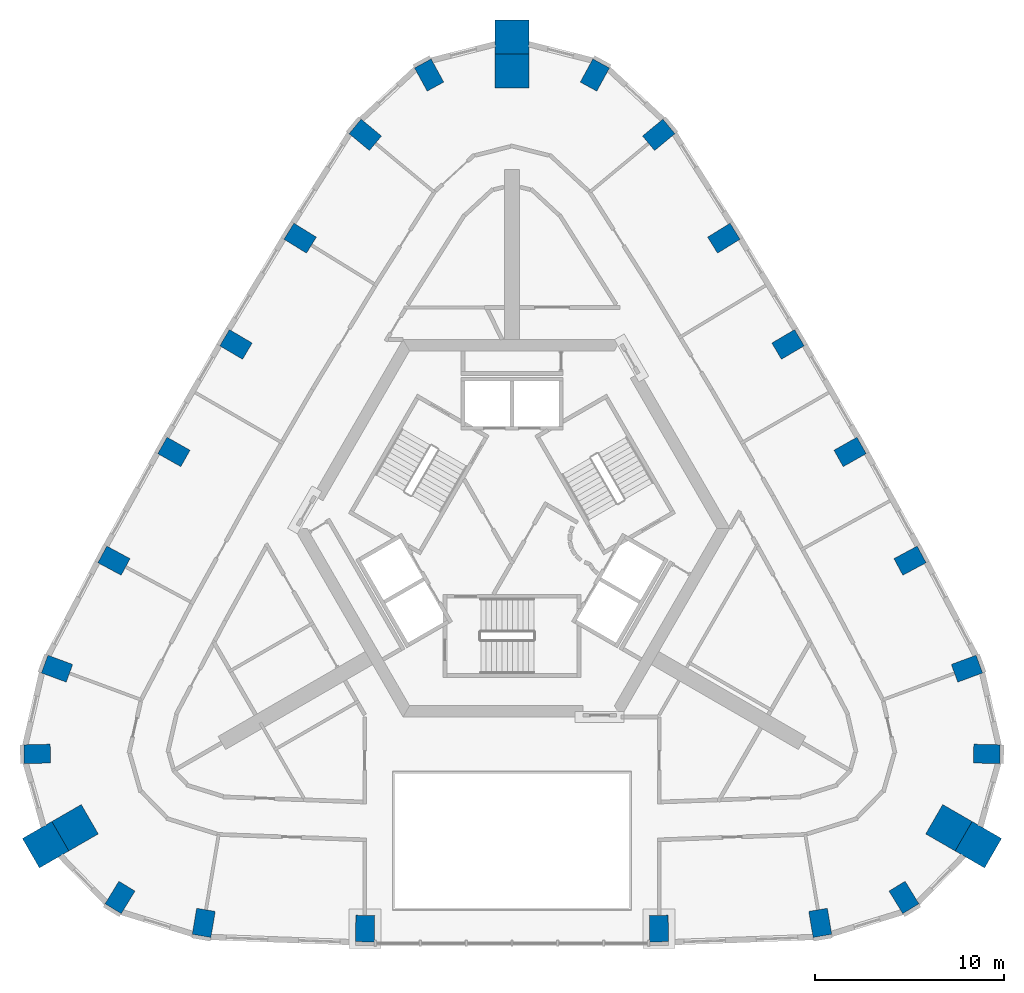
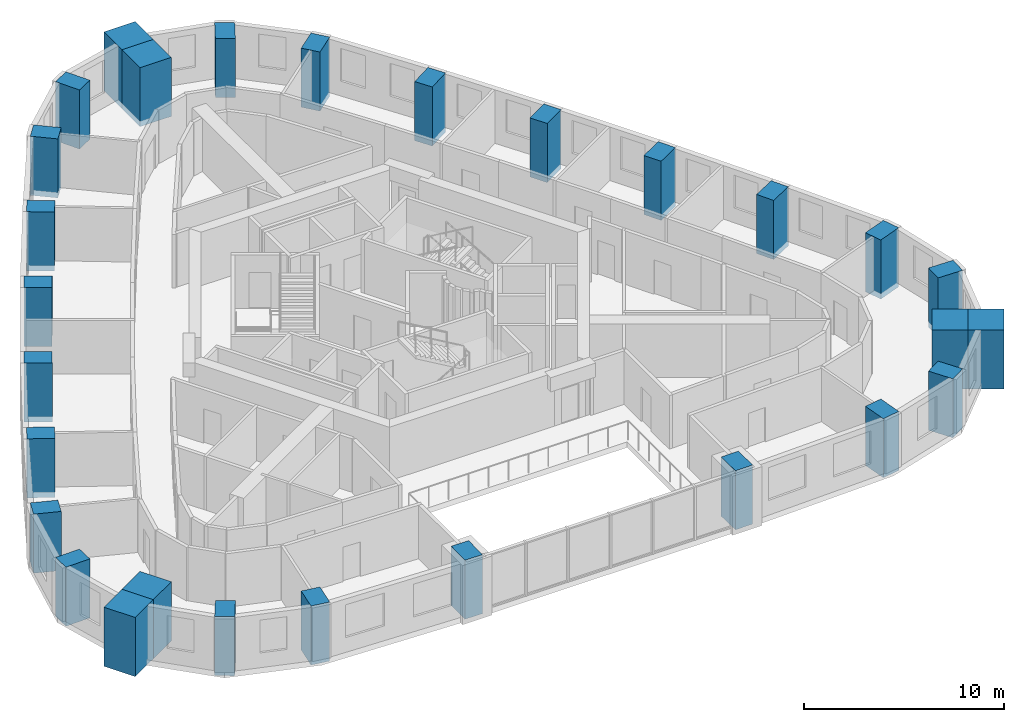
# One storey, part 1 of 10: 28 columns.
"""IFC4 building model written with IfcOpenShell, lengths in metres."""

import ifcopenshell
import ifcopenshell.guid

model = None  # the IFC model being written
_history = None  # IfcOwnerHistory: only IFC2X3 demands one
_inside = {}  # id of a spatial element -> (the spatial element, [elements in it])
_under = {}  # id of a project, library or spatial element -> (it, [spatial elements below it])
_declared = {}  # id of a project -> (the project, [libraries it declares])
_typed = {}  # id of a type object -> (the type object, [elements of that type])
_made_of = {}  # id of a material, layer set ... -> (it, [elements and type objects made of it])


def new_model(schema):
    """Start an empty IFC model of exactly this schema.

    Asked for "IFC4X3", IfcOpenShell would pick the latest addendum, in which some entities
    have other attributes; the version numbers below select the first issue.
    IFC2X3 requires an IfcOwnerHistory on every rooted entity: one is made here for all.
    """
    global model, _history
    if schema == "IFC4X3":
        model = ifcopenshell.file(schema_version=(4, 3, 0, 0))
    else:
        model = ifcopenshell.file(schema=schema)
    _inside.clear()
    _under.clear()
    _declared.clear()
    _typed.clear()
    _made_of.clear()
    _history = None
    if model.schema == "IFC2X3":
        org = make("IfcOrganization", Name="unknown")
        user = make(
            "IfcPersonAndOrganization",
            ThePerson=make("IfcPerson", FamilyName="unknown"),
            TheOrganization=org,
        )
        app = make(
            "IfcApplication",
            ApplicationDeveloper=org,
            Version="unknown",
            ApplicationFullName="unknown",
            ApplicationIdentifier="unknown",
        )
        _history = make(
            "IfcOwnerHistory",
            OwningUser=user,
            OwningApplication=app,
            ChangeAction="ADDED",
            CreationDate=0,
        )
    return model


def make(cls, **values):
    """One entity of the class cls with the attributes given. An attribute that is None is left unset."""
    return model.create_entity(
        cls, **{name: value for name, value in values.items() if value is not None}
    )


def rooted(cls, **values):
    """An entity with a GlobalId (a new one), such as an element, a storey or a relation."""
    return make(cls, GlobalId=ifcopenshell.guid.new(), OwnerHistory=_history, **values)


def si_unit(unit_type, name, prefix=None):
    """IfcSIUnit, for example si_unit("LENGTHUNIT", "METRE", prefix="MILLI")."""
    return make("IfcSIUnit", UnitType=unit_type, Prefix=prefix, Name=name)


def assignment(units):
    """IfcUnitAssignment: the units of a project."""
    return None if units is None else make("IfcUnitAssignment", Units=units)


def point(xyz):
    """IfcCartesianPoint."""
    return None if xyz is None else make("IfcCartesianPoint", Coordinates=xyz)


def direction(xyz):
    """IfcDirection."""
    return None if xyz is None else make("IfcDirection", DirectionRatios=xyz)


def frame(location, z_axis=None, x_axis=None):
    """IfcAxis2Placement3D, a coordinate frame: its origin and axes. An axis left out is left unset."""
    return make(
        "IfcAxis2Placement3D",
        Location=point(location),
        Axis=direction(z_axis),
        RefDirection=direction(x_axis),
    )


def frame_2d(location, x_axis=None):
    """IfcAxis2Placement2D, a coordinate frame in the plane: its origin and x axis."""
    return make(
        "IfcAxis2Placement2D", Location=point(location), RefDirection=direction(x_axis)
    )


def origin():
    """The frame at (0, 0, 0) with its axes left unset."""
    return frame((0.0, 0.0, 0.0))


def origin_2d():
    """The frame at (0, 0) in the plane with its x axis left unset."""
    return frame_2d((0.0, 0.0))


def place(relative_to, where):
    """IfcLocalPlacement: puts the frame where relative to a parent placement (None: the world)."""
    return make(
        "IfcLocalPlacement", PlacementRelTo=relative_to, RelativePlacement=where
    )


def context(
    kind, dimensions, precision=None, world=None, true_north=None, identifier=None
):
    """IfcGeometricRepresentationContext, for example the 3D "Model" context."""
    return make(
        "IfcGeometricRepresentationContext",
        ContextIdentifier=identifier,
        ContextType=kind,
        CoordinateSpaceDimension=dimensions,
        Precision=precision,
        WorldCoordinateSystem=world,
        TrueNorth=true_north,
    )


def subcontext(parent, identifier, kind, view, scale=None):
    """IfcGeometricRepresentationSubContext, for example "Body" below "Model"."""
    return make(
        "IfcGeometricRepresentationSubContext",
        ContextIdentifier=identifier,
        ContextType=kind,
        ParentContext=parent,
        TargetScale=scale,
        TargetView=view,
    )


def project(units=None, contexts=None):
    """IfcProject with its units and contexts."""
    return rooted(
        "IfcProject",
        Name="project",
        RepresentationContexts=contexts,
        UnitsInContext=assignment(units),
    )


def spatial(cls, under=None, at=None, **own):
    """A site, building, storey or space (cls), placed at a placement, below another one or the project."""
    s = rooted(cls, ObjectPlacement=at, **own)
    if under is not None:
        _under.setdefault(under.id(), (under, []))[1].append(s)
    return s


def profile(cls, at=None, kind="AREA", **sizes):
    """A parametric profile (cls). Its sizes go by their IFC names, for example OverallWidth=200.0."""
    return make(cls, ProfileType=kind, Position=at, **sizes)


def rectangle(**sizes):
    """IfcRectangleProfileDef."""
    return profile("IfcRectangleProfileDef", **sizes)


def extrude(swept, where, along, depth):
    """IfcExtrudedAreaSolid: the profile swept, set in the frame where, extruded along a direction by depth."""
    return make(
        "IfcExtrudedAreaSolid",
        SweptArea=swept,
        Position=where,
        ExtrudedDirection=direction(along),
        Depth=depth,
    )


def shape(context_of_items, identifier, shape_type, items):
    """IfcShapeRepresentation: the items that make up one representation, for example the "Body"."""
    return make(
        "IfcShapeRepresentation",
        ContextOfItems=context_of_items,
        RepresentationIdentifier=identifier,
        RepresentationType=shape_type,
        Items=items,
    )


def material(Name=None, Category=None):
    """IfcMaterial."""
    return make("IfcMaterial", Name=Name, Category=Category)


def material_profile(
    of_material, cross_section, Name=None, Category=None, Priority=None
):
    """IfcMaterialProfile: a cross section and its material."""
    return make(
        "IfcMaterialProfile",
        Name=Name,
        Material=of_material,
        Profile=cross_section,
        Priority=Priority,
        Category=Category,
    )


def profile_set(profiles, Name=None, composite=None):
    """IfcMaterialProfileSet."""
    return make(
        "IfcMaterialProfileSet",
        Name=Name,
        MaterialProfiles=profiles,
        CompositeProfile=composite,
    )


def made_of(thing, what):
    """Note that an element or type object is made of a material, layer set ...; save() writes the relation."""
    if what is not None:
        _made_of.setdefault(what.id(), (what, []))[1].append(thing)
    return thing


def type_object(cls, material=None, **own):
    """A type object (cls), such as IfcWallType, which elements share."""
    return made_of(rooted(cls, **own), material)


def element(
    cls,
    number,
    at=None,
    inside=None,
    cuts=None,
    type_object=None,
    material=None,
    context=None,
    identifier="Body",
    shape_type=None,
    held_by="IfcProductDefinitionShape",
    body=None,
    shapes=None,
    **own,
):
    """One element of the class cls, such as IfcWall. Its Tag is "e" and its number.

    at: its placement. inside: the storey or other place that contains it. cuts: it is an
    opening in that element (IfcRelVoidsElement). A single representation is given by context,
    identifier, shape_type and body (its items); several are given by shapes. held_by: the class
    of the entity that holds the representations. save() writes the other relations.
    """
    e = rooted(cls, Tag="e%d" % number, ObjectPlacement=at, **own)
    if body is not None:
        shapes = [shape(context, identifier, shape_type, body)]
    if shapes is not None:
        e.Representation = make(held_by, Representations=shapes)
    if inside is not None:
        _inside.setdefault(inside.id(), (inside, []))[1].append(e)
    if cuts is not None:
        rooted(
            "IfcRelVoidsElement", RelatingBuildingElement=cuts, RelatedOpeningElement=e
        )
    if type_object is not None:
        _typed.setdefault(type_object.id(), (type_object, []))[1].append(e)
    return made_of(e, material)


def aggregate(whole, parts):
    """IfcRelAggregates: a whole, such as a stair, and the parts it consists of."""
    return rooted("IfcRelAggregates", RelatingObject=whole, RelatedObjects=parts)


def save(model, path):
    """Write the relations noted so far, then the file.

    IfcRelAggregates (storeys below a building ...), IfcRelContainedInSpatialStructure (elements
    in a storey), IfcRelDefinesByType, IfcRelAssociatesMaterial and IfcRelDeclares: one each for
    every whole, place, type object, material and project.
    """
    for whole, parts in _under.values():
        aggregate(whole, parts)
    for where, things in _inside.values():
        rooted(
            "IfcRelContainedInSpatialStructure",
            RelatedElements=things,
            RelatingStructure=where,
        )
    for kind, things in _typed.values():
        rooted("IfcRelDefinesByType", RelatedObjects=things, RelatingType=kind)
    for what, things in _made_of.values():
        rooted("IfcRelAssociatesMaterial", RelatedObjects=things, RelatingMaterial=what)
    for by, libraries in _declared.values():
        rooted("IfcRelDeclares", RelatingContext=by, RelatedDefinitions=libraries)
    model.write(path)


model = new_model("IFC4")

# Units and contexts
model_context = context("Model", 3, precision=1e-05, world=origin(), true_north=direction((0.0, 1.0)))
body_context = subcontext(model_context, "Body", "Model", "MODEL_VIEW")
ifc_project = project(units=[si_unit("LENGTHUNIT", "METRE"), si_unit("AREAUNIT", "SQUARE_METRE"), si_unit("VOLUMEUNIT", "CUBIC_METRE"), si_unit("PLANEANGLEUNIT", "RADIAN"), si_unit("MASSUNIT", "GRAM", prefix="KILO")], contexts=[model_context])

# Site, building, storey
site_placement = place(None, origin())
site = spatial("IfcSite", under=ifc_project, at=site_placement, CompositionType="ELEMENT")
building_placement = place(site_placement, origin())
building = spatial("IfcBuilding", under=site, at=building_placement, Name="Entoto Arch Interchange Tower", CompositionType="ELEMENT")
storey_placement = place(building_placement, frame((0.0, 0.0, 245.0)))
storey = spatial("IfcBuildingStorey", under=building, at=storey_placement, Name="L55", CompositionType="ELEMENT", Elevation=245.0)

# Columns
ifc_material_1 = material(Name="Concrete C40/50", Category="concrete")
ifc_material_profile_1 = material_profile(ifc_material_1, rectangle(XDim=1.0, YDim=1.39990234375, at=origin_2d()))
ifc_profile_set_1 = profile_set([ifc_material_profile_1], Name="Concrete C40/50")
column_type_1 = type_object("IfcColumnType", Name="Column RC 1000x1400 C40/50", PredefinedType="COLUMN", material=ifc_profile_set_1)
for number, where, z_axis, x_axis, name in (
    (1, (-16.330078125, -18.404052734375, -0.340087890625), (0.0, 0.0, 1.0), (-0.985952343326, 0.167026874157, 0.0), "Column S01 L55"),
    (2, (-7.783935546875, -18.7080078125, -0.340087890625), (0.0, 0.0, 1.0), (-0.999832723398, 0.018290030661, 0.0), "Column S02 L55"),
    (3, (7.783935546875, -18.7080078125, -0.340087890625), (0.0, 0.0, 1.0), (0.999832723398, 0.018290030661, 0.0), "Column S03 L55"),
    (4, (16.330078125, -18.404052734375, -0.340087890625), (0.0, 0.0, 1.0), (0.985952343326, 0.167026874157, 0.0), "Column S04 L55"),
    (5, (20.764892578125, -17.056884765625, -0.340087890625), (0.0, 0.0, 1.0), (0.853341581839, 0.521352227103, 0.0), "Column SE1 L55"),
    (6, (25.154052734375, -9.4541015625, -0.340087890625), (0.0, 0.0, 1.0), (0.024833482072, 0.999691601529, 0.0), "Column SE3 L55"),
    (7, (24.10205078125, -4.93896484375, -0.340087890625), (0.0, 0.0, 1.0), (-0.346853804003, 0.937919206888, 0.0), "Column NE01 L55"),
    (8, (21.0859375, 0.783935546875, -0.340087890625), (0.0, 0.0, 1.0), (-0.473980634908, 0.880535267739, 0.0), "Column NE02 L55"),
    (9, (17.910888671875, 6.5439453125, -0.340087890625), (0.0, 0.0, 1.0), (-0.491375053773, 0.870948079124, 0.0), "Column NE03 L55"),
    (10, (14.623046875, 12.239013671875, -0.340087890625), (0.0, 0.0, 1.0), (-0.508575635012, 0.861017318916, 0.0), "Column NE04 L55"),
    (11, (11.221923828125, 17.868896484375, -0.340087890625), (0.0, 0.0, 1.0), (-0.525575593337, 0.850746904601, 0.0), "Column NE05 L55"),
    (12, (7.77392578125, 23.343017578125, -0.340087890625), (0.0, 0.0, 1.0), (-0.638834957861, 0.769343809109, 0.0), "Column NE06 L55"),
    (13, (4.388916015625, 26.511962890625, -0.340087890625), (0.0, 0.0, 1.0), (-0.87817506391, 0.478339374426, 0.0), "Column N1 L55"),
    (14, (-4.388916015625, 26.511962890625, -0.340087890625), (0.0, 0.0, 1.0), (0.87817506391, 0.478339374426, 0.0), "Column N3 L55"),
    (15, (-7.77392578125, 23.343017578125, -0.340087890625), (0.0, 0.0, 1.0), (0.638834957861, 0.769343809109, 0.0), "Column NW01 L55"),
    (16, (-11.221923828125, 17.868896484375, -0.340087890625), (0.0, 0.0, 1.0), (0.525575593337, 0.850746904601, 0.0), "Column NW02 L55"),
    (17, (-14.623046875, 12.239013671875, -0.340087890625), (0.0, 0.0, 1.0), (0.508575635012, 0.861017318916, 0.0), "Column NW03 L55"),
    (18, (-17.910888671875, 6.5439453125, -0.340087890625), (0.0, 0.0, 1.0), (0.491375053773, 0.870948079124, 0.0), "Column NW04 L55"),
    (19, (-21.0859375, 0.783935546875, -0.340087890625), (0.0, 0.0, 1.0), (0.473980634908, 0.880535267739, 0.0), "Column NW05 L55"),
    (20, (-24.10205078125, -4.93896484375, -0.340087890625), (0.0, 0.0, 1.0), (0.346853804003, 0.937919206888, 0.0), "Column NW06 L55"),
    (21, (-25.154052734375, -9.4541015625, -0.340087890625), (0.0, 0.0, 1.0), (-0.024833482072, 0.999691601529, 0.0), "Column SW1 L55"),
    (22, (-20.764892578125, -17.056884765625, -0.340087890625), (0.0, 0.0, 1.0), (-0.853341581839, 0.521352227103, 0.0), "Column SW3 L55"),
):
    element("IfcColumn", number, at=place(storey_placement, frame(where, z_axis=z_axis, x_axis=x_axis)), inside=storey, type_object=column_type_1, Name=name, PredefinedType="COLUMN", context=body_context, shape_type="SweptSolid", body=[
        extrude(rectangle(XDim=1.0, YDim=1.39990234375, at=origin_2d()), origin(), (0.0, 0.0, 1.0), 3.60009765625),
    ])
ifc_material_2 = material(Name="Precast concrete C40/50", Category="concrete")
ifc_material_profile_2 = material_profile(ifc_material_2, rectangle(XDim=1.800048828125, YDim=1.800048828125, at=origin_2d()))
ifc_profile_set_2 = profile_set([ifc_material_profile_2], Name="Precast concrete C40/50")
column_type_2 = type_object("IfcColumnType", Name="Frame post RC 1800x1800 precast C40/50", PredefinedType="COLUMN", material=ifc_profile_set_2)
for number, where, z_axis, x_axis, name in (
    (23, (24.70703125, -14.264892578125, -0.340087890625), (0.0, 0.0, 1.0), (-0.866025403784, 0.5, 0.0), "Frame post SE L55"),
    (24, (0.0, 28.529052734375, -0.340087890625), (0.0, 0.0, 1.0), (0.0, 1.0, 0.0), "Frame post N L55"),
    (25, (-24.70703125, -14.264892578125, -0.340087890625), (0.0, 0.0, 1.0), (0.866025403784, 0.5, 0.0), "Frame post SW L55"),
):
    element("IfcColumn", number, at=place(storey_placement, frame(where, z_axis=z_axis, x_axis=x_axis)), inside=storey, type_object=column_type_2, Name=name, PredefinedType="COLUMN", context=body_context, shape_type="SweptSolid", body=[
        extrude(rectangle(XDim=1.800048828125, YDim=1.800048828125, at=origin_2d()), origin(), (0.0, 0.0, 1.0), 3.60009765625),
    ])
ifc_material_profile_3 = material_profile(ifc_material_1, rectangle(XDim=1.800048828125, YDim=1.800048828125, at=origin_2d()))
ifc_profile_set_3 = profile_set([ifc_material_profile_3], Name="Concrete C40/50")
column_type_3 = type_object("IfcColumnType", Name="Mega column RC 1800x1800 C40/50", PredefinedType="COLUMN", material=ifc_profile_set_3)
for number, where, z_axis, x_axis, name in (
    (26, (23.14794921875, -13.364990234375, -0.340087890625), (0.0, 0.0, 1.0), (-0.866025403784, 0.5, 0.0), "Corner mega column SE2 L55"),
    (27, (0.0, 26.72900390625, -0.340087890625), (0.0, 0.0, 1.0), (0.0, 1.0, 0.0), "Corner mega column N2 L55"),
    (28, (-23.14794921875, -13.364990234375, -0.340087890625), (0.0, 0.0, 1.0), (0.866025403784, 0.5, 0.0), "Corner mega column SW2 L55"),
):
    element("IfcColumn", number, at=place(storey_placement, frame(where, z_axis=z_axis, x_axis=x_axis)), inside=storey, type_object=column_type_3, Name=name, PredefinedType="COLUMN", context=body_context, shape_type="SweptSolid", body=[
        extrude(rectangle(XDim=1.800048828125, YDim=1.800048828125, at=origin_2d()), origin(), (0.0, 0.0, 1.0), 3.60009765625),
    ])

save(model, "model.ifc")
